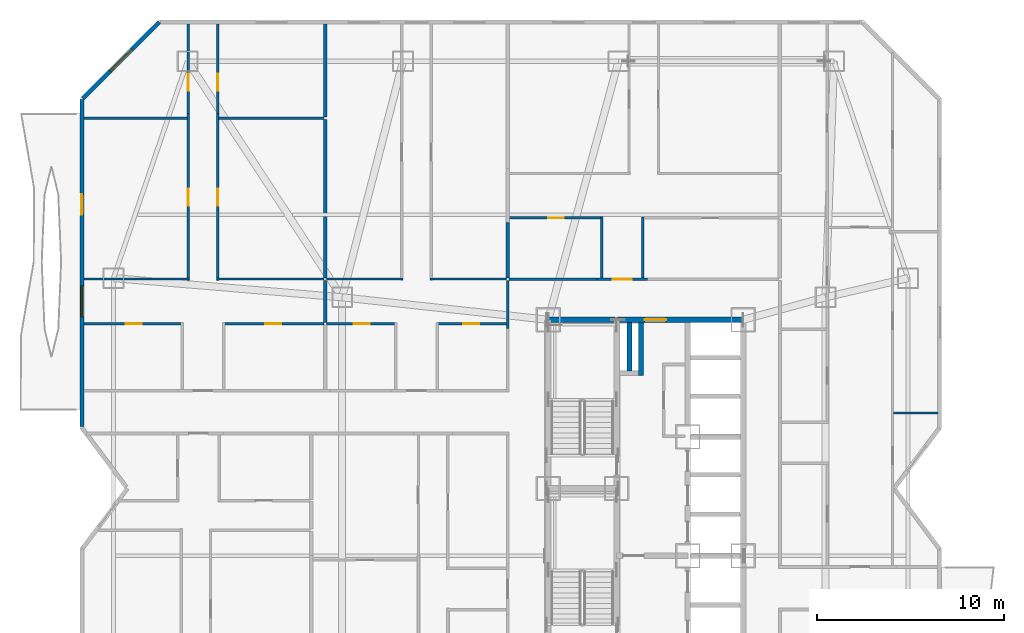
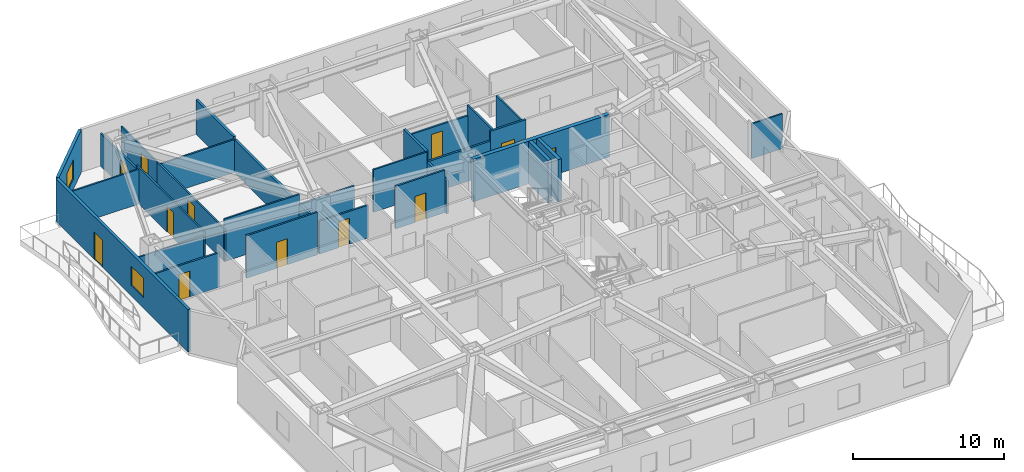
# One storey, part 12 of 16: 30 walls, 12 doors, 2 windows, 14 openings.
"""IFC4 building model written with IfcOpenShell, lengths in metres."""

from ifc_helpers import new_model, si_unit, direction, frame, frame_2d, origin, place, context, subcontext, project, spatial, rectangle, extrude, material, layer, layer_set, type_object, element, fill, save


model = new_model("IFC4")

# Units and contexts
model_context = context("Model", 3, precision=1e-05, world=origin(), true_north=direction((0.0, 1.0)))
body_context = subcontext(model_context, "Body", "Model", "MODEL_VIEW")
ifc_project = project(units=[si_unit("LENGTHUNIT", "METRE"), si_unit("AREAUNIT", "SQUARE_METRE"), si_unit("VOLUMEUNIT", "CUBIC_METRE"), si_unit("PLANEANGLEUNIT", "RADIAN"), si_unit("MASSUNIT", "GRAM", prefix="KILO")], contexts=[model_context])

# Site, building, storey
site_placement = place(None, origin())
site = spatial("IfcSite", under=ifc_project, at=site_placement, CompositionType="ELEMENT")
building_placement = place(site_placement, origin())
building = spatial("IfcBuilding", under=site, at=building_placement, Name="Khamvora Tower", CompositionType="ELEMENT")
storey_placement = place(building_placement, frame((0.0, 0.0, 55.199951171875)))
storey = spatial("IfcBuildingStorey", under=building, at=storey_placement, Name="L13", CompositionType="ELEMENT", Elevation=55.199951171875)

# Wall, opening, door
ifc_material_1 = material(Name="Concrete C50/60", Category="concrete")
ifc_layer_1 = layer(ifc_material_1, 0.300048828125)
ifc_layer_set_1 = layer_set([ifc_layer_1], Name="Concrete C50/60")
wall_type_1 = type_object("IfcWallType", Name="WAL-CORE-300", PredefinedType="SHEAR", material=ifc_layer_set_1)
wall_1_placement = place(storey_placement, frame((29.0, 37.0, 0.0), z_axis=(0.0, 0.0, 1.0), x_axis=(1.0, 0.0, 0.0)))
wall_1 = element("IfcWall", 1, at=wall_1_placement, inside=storey, type_object=wall_type_1, Name="L13 central core north wall", PredefinedType="SHEAR", context=body_context, shape_type="SweptSolid", body=[
    extrude(rectangle(XDim=10.39990234375, YDim=0.300048828125, at=frame_2d((5.199951171875, 0.0))), origin(), (0.0, 0.0, 1.0), 3.429931640625),
])
opening_1_placement = place(wall_1_placement, frame((5.139892578125, 0.0, 0.0)))
opening_1 = element("IfcOpeningElement", 2, at=opening_1_placement, cuts=wall_1, Name="Opening D-SC1", PredefinedType="OPENING", context=body_context, shape_type="SweptSolid", body=[
    extrude(rectangle(XDim=1.14990234375, YDim=2.199951171875, at=frame_2d((0.574951171875, 1.10009765625))), frame((0.0, 0.159912109375, 0.0), z_axis=(0.0, -1.0, 0.0), x_axis=(1.0, 0.0, 0.0)), (0.0, 0.0, 1.0), 0.320068359375),
])
ifc_material_2 = material(Name="Powder-Coated Steel and Hardwood Leaf", Category="steel")
door_type_1 = type_object("IfcDoorType", Name="DOR-SCHL-1150", OperationType="NOTDEFINED", PredefinedType="DOOR", material=ifc_material_2)
door_1_placement = place(opening_1_placement, origin())
door_1 = element("IfcDoor", 3, at=door_1_placement, inside=storey, type_object=door_type_1, Name="L13 north core lobby to corridor fire door", OperationType="SINGLE_SWING_RIGHT", OverallHeight=2.199951171875, OverallWidth=1.14990234375, PredefinedType="DOOR", context=body_context, shape_type="SweptSolid", body=[
    extrude(rectangle(XDim=1.14990234375, YDim=2.199951171875, at=frame_2d((0.574951171875, 1.10009765625))), frame((0.0, 0.02490234375, 0.0), z_axis=(0.0, -1.0, 0.0), x_axis=(1.0, 0.0, 0.0)), (0.0, 0.0, 1.0), 0.050048828125),
])
fill(opening_1, door_1)

# Wall
ifc_material_3 = material(Name="Fire-Rated Drywall and Steel Stud", Category="steel")
ifc_layer_2 = layer(ifc_material_3, 0.14990234375)
ifc_layer_set_2 = layer_set([ifc_layer_2], Name="Fire-Rated Drywall and Steel Stud")
wall_type_2 = type_object("IfcWallType", Name="WAL-CORR-150", PredefinedType="STANDARD", material=ifc_layer_set_2)
wall_2_placement = place(storey_placement, frame((26.8349609375, 36.5458984375, 0.0), z_axis=(0.0, 0.0, 1.0), x_axis=(0.0, 1.0, 0.0)))
element("IfcWall", 4, at=wall_2_placement, inside=storey, type_object=wall_type_2, Name="L13 interior partition wall 017", PredefinedType="STANDARD", context=body_context, shape_type="SweptSolid", body=[
    extrude(rectangle(XDim=2.55419921875, YDim=0.14990234375, at=frame_2d((1.277099609375, 0.0))), origin(), (0.0, 0.0, 1.0), 2.64697265625),
])

# Wall, opening, door
wall_3_placement = place(storey_placement, frame((31.60107421875, 39.1650390625, 0.0), z_axis=(0.0, 0.0, 1.0), x_axis=(1.0, 0.0, 0.0)))
wall_3 = element("IfcWall", 5, at=wall_3_placement, inside=storey, type_object=wall_type_2, Name="L13 interior partition wall 025", PredefinedType="STANDARD", context=body_context, shape_type="SweptSolid", body=[
    extrude(rectangle(XDim=2.697998046875, YDim=0.14990234375, at=frame_2d((1.34912109375, 0.0))), origin(), (0.0, 0.0, 1.0), 3.429931640625),
])
opening_2_placement = place(wall_3_placement, frame((0.84912109375, 0.0, 0.0)))
opening_2 = element("IfcOpeningElement", 6, at=opening_2_placement, cuts=wall_3, Name="Opening D-U1", PredefinedType="OPENING", context=body_context, shape_type="SweptSolid", body=[
    extrude(rectangle(XDim=1.0, YDim=2.14990234375, at=frame_2d((0.5, 1.074951171875))), frame((0.0, 0.0849609375, 0.0), z_axis=(0.0, -1.0, 0.0), x_axis=(1.0, 0.0, 0.0)), (0.0, 0.0, 1.0), 0.169921875),
])
door_type_2 = type_object("IfcDoorType", Name="DOR-UNIT-1000", OperationType="NOTDEFINED", PredefinedType="DOOR", material=ifc_material_2)
door_2_placement = place(opening_2_placement, origin())
door_2 = element("IfcDoor", 7, at=door_2_placement, inside=storey, type_object=door_type_2, Name="L13 interior door COR-13NAH", OperationType="SINGLE_SWING_LEFT", OverallHeight=2.14990234375, OverallWidth=1.0, PredefinedType="DOOR", context=body_context, shape_type="SweptSolid", body=[
    extrude(rectangle(XDim=1.0, YDim=2.14990234375, at=frame_2d((0.5, 1.074951171875))), frame((0.0, 0.02490234375, 0.0), z_axis=(0.0, -1.0, 0.0), x_axis=(1.0, 0.0, 0.0)), (0.0, 0.0, 1.0), 0.050048828125),
])
fill(opening_2, door_2)

# Walls
wall_4_placement = place(storey_placement, frame((26.89990234375, 39.1650390625, 0.0), z_axis=(0.0, 0.0, 1.0), x_axis=(1.0, 0.0, 0.0)))
element("IfcWall", 8, at=wall_4_placement, inside=storey, type_object=wall_type_2, Name="L13 interior partition wall 026", PredefinedType="STANDARD", context=body_context, shape_type="SweptSolid", body=[
    extrude(rectangle(XDim=4.701171875, YDim=0.14990234375, at=frame_2d((2.3505859375, 0.0))), origin(), (0.0, 0.0, 1.0), 2.64697265625),
])
ifc_material_4 = material(Name="Acoustic Double-Stud Fire Wall", Category="gypsum")
ifc_layer_3 = layer(ifc_material_4, 0.179931640625)
ifc_layer_set_3 = layer_set([ifc_layer_3], Name="Acoustic Double-Stud Fire Wall")
wall_type_3 = type_object("IfcWallType", Name="WAL-CORR-180", PredefinedType="STANDARD", material=ifc_layer_set_3)
wall_5_placement = place(storey_placement, frame((17.10498046875, 39.110107421875, 0.0), z_axis=(0.0, 0.0, 1.0), x_axis=(0.0, -1.0, 0.0)))
element("IfcWall", 9, at=wall_5_placement, inside=storey, type_object=wall_type_3, Name="L13 interior partition wall 085", PredefinedType="STANDARD", context=body_context, shape_type="SweptSolid", body=[
    extrude(rectangle(XDim=2.25, YDim=0.179931640625, at=frame_2d((1.125, 0.0))), origin(), (0.0, 0.0, 1.0), 2.64697265625),
])
wall_6_placement = place(storey_placement, frame((17.10498046875, 47.693115234375, 0.0), z_axis=(0.0, 0.0, 1.0), x_axis=(0.0, -1.0, 0.0)))
element("IfcWall", 10, at=wall_6_placement, inside=storey, type_object=wall_type_3, Name="L13 interior partition wall 089", PredefinedType="STANDARD", context=body_context, shape_type="SweptSolid", body=[
    extrude(rectangle(XDim=8.453125, YDim=0.179931640625, at=frame_2d((4.2265625, 0.0))), origin(), (0.0, 0.0, 1.0), 2.64697265625),
])
wall_7_placement = place(storey_placement, frame((17.10498046875, 52.7880859375, 0.0), z_axis=(0.0, 0.0, 1.0), x_axis=(0.0, -1.0, 0.0)))
element("IfcWall", 11, at=wall_7_placement, inside=storey, type_object=wall_type_3, Name="L13 interior partition wall 090", PredefinedType="STANDARD", context=body_context, shape_type="SweptSolid", body=[
    extrude(rectangle(XDim=4.965087890625, YDim=0.179931640625, at=frame_2d((2.482421875, 0.0))), origin(), (0.0, 0.0, 1.0), 2.802978515625),
])
wall_8_placement = place(storey_placement, frame((26.8349609375, 42.18505859375, 0.0), z_axis=(0.0, 0.0, 1.0), x_axis=(0.0, -1.0, 0.0)))
element("IfcWall", 12, at=wall_8_placement, inside=storey, type_object=wall_type_3, Name="L13 interior partition wall 100", PredefinedType="STANDARD", context=body_context, shape_type="SweptSolid", body=[
    extrude(rectangle(XDim=2.945068359375, YDim=0.179931640625, at=frame_2d((1.47265625, 0.0))), origin(), (0.0, 0.0, 1.0), 3.429931640625),
])

# Wall, openings, door, window
ifc_material_5 = material(Name="Precast concrete C40/50", Category="concrete")
ifc_layer_4 = layer(ifc_material_5, 0.219970703125)
ifc_layer_set_4 = layer_set([ifc_layer_4], Name="Precast concrete C40/50")
wall_type_4 = type_object("IfcWallType", Name="WAL-EXT-220", PredefinedType="STANDARD", material=ifc_layer_set_4)
wall_9_placement = place(storey_placement, frame((4.110107421875, 31.294921875, 0.0), z_axis=(0.0, 0.0, 1.0), x_axis=(0.0, 1.0, 0.0)))
wall_9 = element("IfcWall", 13, at=wall_9_placement, inside=storey, type_object=wall_type_4, Name="L13 exterior facade wall 05.1", PredefinedType="STANDARD", context=body_context, shape_type="SweptSolid", body=[
    extrude(rectangle(XDim=17.458984375, YDim=0.219970703125, at=frame_2d((8.7294921875, 0.0))), origin(), (0.0, 0.0, 1.0), 3.429931640625),
])
opening_3_placement = place(wall_9_placement, frame((11.302001953125, 0.0, 0.0)))
opening_3 = element("IfcOpeningElement", 14, at=opening_3_placement, cuts=wall_9, Name="Opening BD-01", PredefinedType="OPENING", context=body_context, shape_type="SweptSolid", body=[
    extrude(rectangle(XDim=1.10009765625, YDim=2.199951171875, at=frame_2d((0.550048828125, 1.10009765625))), frame((0.0, 0.119873046875, 0.0), z_axis=(0.0, -1.0, 0.0), x_axis=(1.0, 0.0, 0.0)), (0.0, 0.0, 1.0), 0.239990234375),
])
opening_4_placement = place(wall_9_placement, frame((5.864990234375, 0.0, 0.85009765625)))
opening_4 = element("IfcOpeningElement", 15, at=opening_4_placement, cuts=wall_9, Name="Opening WN-06", PredefinedType="OPENING", context=body_context, shape_type="SweptSolid", body=[
    extrude(rectangle(XDim=1.64990234375, YDim=1.550048828125, at=frame_2d((0.824951171875, 0.77490234375))), frame((0.0, 0.119873046875, 0.0), z_axis=(0.0, -1.0, 0.0), x_axis=(1.0, 0.0, 0.0)), (0.0, 0.0, 1.0), 0.239990234375),
])
ifc_material_6 = material(Name="Anodised Aluminium and Laminated Safety Glass", Category="aluminium")
door_type_3 = type_object("IfcDoorType", Name="DOR-BAL-1100", OperationType="NOTDEFINED", PredefinedType="DOOR", material=ifc_material_6)
door_3_placement = place(opening_3_placement, origin())
door_3 = element("IfcDoor", 16, at=door_3_placement, inside=storey, type_object=door_type_3, Name="L13 lens gallery balcony door WL2", OperationType="SLIDING_TO_LEFT", OverallHeight=2.199951171875, OverallWidth=1.10009765625, PredefinedType="DOOR", context=body_context, shape_type="SweptSolid", body=[
    extrude(rectangle(XDim=1.10009765625, YDim=2.199951171875, at=frame_2d((0.550048828125, 1.10009765625))), frame((0.0, 0.02490234375, 0.0), z_axis=(0.0, -1.0, 0.0), x_axis=(1.0, 0.0, 0.0)), (0.0, 0.0, 1.0), 0.050048828125),
])
fill(opening_3, door_3)
ifc_material_7 = material(Name="Low-E Laminated Double Glazing", Category="glass")
window_type = type_object("IfcWindowType", Name="WIN-VIS-1650x1550", PartitioningType="SINGLE_PANEL", PredefinedType="WINDOW", material=ifc_material_7)
window_1_placement = place(opening_4_placement, origin())
window_1 = element("IfcWindow", 17, at=window_1_placement, inside=storey, type_object=window_type, Name="L13 vision window 05.1.01", OverallHeight=1.550048828125, OverallWidth=1.64990234375, PartitioningType="SINGLE_PANEL", PredefinedType="WINDOW", context=body_context, shape_type="SweptSolid", body=[
    extrude(rectangle(XDim=1.64990234375, YDim=1.550048828125, at=frame_2d((0.824951171875, 0.77490234375))), frame((0.0, 0.030029296875, 0.0), z_axis=(0.0, -1.0, 0.0), x_axis=(1.0, 0.0, 0.0)), (0.0, 0.0, 1.0), 0.06005859375),
])
fill(opening_4, window_1)

# Wall, opening, window
wall_10_placement = place(storey_placement, frame((4.157958984375, 48.802001953125, 0.0), z_axis=(0.0, 0.0, 1.0), x_axis=(0.70712789547, 0.707085666273, 0.0)))
wall_10 = element("IfcWall", 18, at=wall_10_placement, inside=storey, type_object=wall_type_4, Name="L13 exterior facade wall 06.1", PredefinedType="STANDARD", context=body_context, shape_type="SweptSolid", body=[
    extrude(rectangle(XDim=5.78125, YDim=0.219970703125, at=frame_2d((2.890625, 0.0))), origin(), (0.0, 0.0, 1.0), 3.429931640625),
])
opening_5_placement = place(wall_10_placement, frame((2.06591796875, 0.0, 0.85009765625)))
opening_5 = element("IfcOpeningElement", 19, at=opening_5_placement, cuts=wall_10, Name="Opening WN-06", PredefinedType="OPENING", context=body_context, shape_type="SweptSolid", body=[
    extrude(rectangle(XDim=1.64990234375, YDim=1.550048828125, at=frame_2d((0.824951171875, 0.77490234375))), frame((0.0, 0.119873046875, 0.0), z_axis=(0.0, -1.0, 0.0), x_axis=(1.0, 0.0, 0.0)), (0.0, 0.0, 1.0), 0.239990234375),
])
window_2_placement = place(opening_5_placement, origin())
window_2 = element("IfcWindow", 20, at=window_2_placement, inside=storey, type_object=window_type, Name="L13 vision window 06.1.01", OverallHeight=1.550048828125, OverallWidth=1.64990234375, PartitioningType="SINGLE_PANEL", PredefinedType="WINDOW", context=body_context, shape_type="SweptSolid", body=[
    extrude(rectangle(XDim=1.64990234375, YDim=1.550048828125, at=frame_2d((0.824951171875, 0.77490234375))), frame((0.0, 0.030029296875, 0.0), z_axis=(0.0, -1.0, 0.0), x_axis=(1.0, 0.0, 0.0)), (0.0, 0.0, 1.0), 0.06005859375),
])
fill(opening_5, window_2)

# Wall
ifc_material_8 = material(Name="Gypsum Plasterboard Partition", Category="gypsum")
ifc_layer_5 = layer(ifc_material_8, 0.1201171875)
ifc_layer_set_5 = layer_set([ifc_layer_5], Name="Gypsum Plasterboard Partition")
wall_type_5 = type_object("IfcWallType", Name="WAL-PART-120", PredefinedType="PARTITIONING", material=ifc_layer_set_5)
wall_11_placement = place(storey_placement, frame((4.2119140625, 39.175048828125, 0.0), z_axis=(0.0, 0.0, 1.0), x_axis=(1.0, 0.0, 0.0)))
element("IfcWall", 21, at=wall_11_placement, inside=storey, type_object=wall_type_5, Name="L13 interior partition wall 079", PredefinedType="PARTITIONING", context=body_context, shape_type="SweptSolid", body=[
    extrude(rectangle(XDim=5.64306640625, YDim=0.1201171875, at=frame_2d((2.821533203125, 0.0))), origin(), (0.0, 0.0, 1.0), 2.64697265625),
])

# Wall, opening, door
wall_12_placement = place(storey_placement, frame((9.7900390625, 39.110107421875, 0.0), z_axis=(0.0, 0.0, 1.0), x_axis=(0.0, 1.0, 0.0)))
wall_12 = element("IfcWall", 22, at=wall_12_placement, inside=storey, type_object=wall_type_5, Name="L13 interior partition wall 080", PredefinedType="PARTITIONING", context=body_context, shape_type="SweptSolid", body=[
    extrude(rectangle(XDim=8.89794921875, YDim=0.1201171875, at=frame_2d((4.448974609375, 0.0))), origin(), (0.0, 0.0, 1.0), 2.95703125),
])
opening_6_placement = place(wall_12_placement, frame((3.97802734375, 0.0, 0.0)))
opening_6 = element("IfcOpeningElement", 23, at=opening_6_placement, cuts=wall_12, Name="Opening D-RM1", PredefinedType="OPENING", context=body_context, shape_type="SweptSolid", body=[
    extrude(rectangle(XDim=0.89990234375, YDim=2.10009765625, at=frame_2d((0.449951171875, 1.050048828125))), frame((0.0, 0.070068359375, 0.0), z_axis=(0.0, -1.0, 0.0), x_axis=(1.0, 0.0, 0.0)), (0.0, 0.0, 1.0), 0.14013671875),
])
door_type_4 = type_object("IfcDoorType", Name="DOR-ROOM-900", OperationType="NOTDEFINED", PredefinedType="DOOR", material=ifc_material_2)
door_4_placement = place(opening_6_placement, origin())
door_4 = element("IfcDoor", 24, at=door_4_placement, inside=storey, type_object=door_type_4, Name="L13 interior door 13WBH-13WBR1", OperationType="SINGLE_SWING_RIGHT", OverallHeight=2.10009765625, OverallWidth=0.89990234375, PredefinedType="DOOR", context=body_context, shape_type="SweptSolid", body=[
    extrude(rectangle(XDim=0.89990234375, YDim=2.10009765625, at=frame_2d((0.449951171875, 1.050048828125))), frame((0.0, 0.02490234375, 0.0), z_axis=(0.0, -1.0, 0.0), x_axis=(1.0, 0.0, 0.0)), (0.0, 0.0, 1.0), 0.050048828125),
])
fill(opening_6, door_4)

wall_13_placement = place(storey_placement, frame((9.7900390625, 48.008056640625, 0.0), z_axis=(0.0, 0.0, 1.0), x_axis=(0.0, 1.0, 0.0)))
wall_13 = element("IfcWall", 25, at=wall_13_placement, inside=storey, type_object=wall_type_5, Name="L13 interior partition wall 081", PredefinedType="PARTITIONING", context=body_context, shape_type="SweptSolid", body=[
    extrude(rectangle(XDim=4.780029296875, YDim=0.1201171875, at=frame_2d((2.39013671875, 0.0))), origin(), (0.0, 0.0, 1.0), 2.64697265625),
])
opening_7_placement = place(wall_13_placement, frame((1.218994140625, 0.0, 0.0)))
opening_7 = element("IfcOpeningElement", 26, at=opening_7_placement, cuts=wall_13, Name="Opening D-RM1", PredefinedType="OPENING", context=body_context, shape_type="SweptSolid", body=[
    extrude(rectangle(XDim=0.89990234375, YDim=2.10009765625, at=frame_2d((0.449951171875, 1.050048828125))), frame((0.0, 0.070068359375, 0.0), z_axis=(0.0, -1.0, 0.0), x_axis=(1.0, 0.0, 0.0)), (0.0, 0.0, 1.0), 0.14013671875),
])
door_5_placement = place(opening_7_placement, origin())
door_5 = element("IfcDoor", 27, at=door_5_placement, inside=storey, type_object=door_type_4, Name="L13 interior door 13WBH-13WBR2", OperationType="SINGLE_SWING_LEFT", OverallHeight=2.10009765625, OverallWidth=0.89990234375, PredefinedType="DOOR", context=body_context, shape_type="SweptSolid", body=[
    extrude(rectangle(XDim=0.89990234375, YDim=2.10009765625, at=frame_2d((0.449951171875, 1.050048828125))), frame((0.0, 0.02490234375, 0.0), z_axis=(0.0, -1.0, 0.0), x_axis=(1.0, 0.0, 0.0)), (0.0, 0.0, 1.0), 0.050048828125),
])
fill(opening_7, door_5)

wall_14_placement = place(storey_placement, frame((11.360107421875, 48.008056640625, 0.0), z_axis=(0.0, 0.0, 1.0), x_axis=(0.0, -1.0, 0.0)))
wall_14 = element("IfcWall", 28, at=wall_14_placement, inside=storey, type_object=wall_type_5, Name="L13 interior partition wall 082", PredefinedType="PARTITIONING", context=body_context, shape_type="SweptSolid", body=[
    extrude(rectangle(XDim=8.89794921875, YDim=0.1201171875, at=frame_2d((4.448974609375, 0.0))), origin(), (0.0, 0.0, 1.0), 2.64697265625),
])
opening_8_placement = place(wall_14_placement, frame((4.02001953125, 0.0, 0.0)))
opening_8 = element("IfcOpeningElement", 29, at=opening_8_placement, cuts=wall_14, Name="Opening D-RM1", PredefinedType="OPENING", context=body_context, shape_type="SweptSolid", body=[
    extrude(rectangle(XDim=0.89990234375, YDim=2.10009765625, at=frame_2d((0.449951171875, 1.050048828125))), frame((0.0, 0.070068359375, 0.0), z_axis=(0.0, -1.0, 0.0), x_axis=(1.0, 0.0, 0.0)), (0.0, 0.0, 1.0), 0.14013671875),
])
door_6_placement = place(opening_8_placement, origin())
door_6 = element("IfcDoor", 30, at=door_6_placement, inside=storey, type_object=door_type_4, Name="L13 interior door 13WBH-13WBR3", OperationType="SINGLE_SWING_LEFT", OverallHeight=2.10009765625, OverallWidth=0.89990234375, PredefinedType="DOOR", context=body_context, shape_type="SweptSolid", body=[
    extrude(rectangle(XDim=0.89990234375, YDim=2.10009765625, at=frame_2d((0.449951171875, 1.050048828125))), frame((0.0, 0.02490234375, 0.0), z_axis=(0.0, -1.0, 0.0), x_axis=(1.0, 0.0, 0.0)), (0.0, 0.0, 1.0), 0.050048828125),
])
fill(opening_8, door_6)

# Wall
wall_15_placement = place(storey_placement, frame((11.294921875, 39.175048828125, 0.0), z_axis=(0.0, 0.0, 1.0), x_axis=(1.0, 0.0, 0.0)))
element("IfcWall", 31, at=wall_15_placement, inside=storey, type_object=wall_type_5, Name="L13 interior partition wall 083", PredefinedType="PARTITIONING", context=body_context, shape_type="SweptSolid", body=[
    extrude(rectangle(XDim=5.7451171875, YDim=0.1201171875, at=frame_2d((2.87255859375, 0.0))), origin(), (0.0, 0.0, 1.0), 3.429931640625),
])

# Wall, opening, door
wall_16_placement = place(storey_placement, frame((11.360107421875, 52.7880859375, 0.0), z_axis=(0.0, 0.0, 1.0), x_axis=(0.0, -1.0, 0.0)))
wall_16 = element("IfcWall", 32, at=wall_16_placement, inside=storey, type_object=wall_type_5, Name="L13 interior partition wall 084", PredefinedType="PARTITIONING", context=body_context, shape_type="SweptSolid", body=[
    extrude(rectangle(XDim=4.780029296875, YDim=0.1201171875, at=frame_2d((2.39013671875, 0.0))), origin(), (0.0, 0.0, 1.0), 2.64697265625),
])
opening_9_placement = place(wall_16_placement, frame((2.660888671875, 0.0, 0.0)))
opening_9 = element("IfcOpeningElement", 33, at=opening_9_placement, cuts=wall_16, Name="Opening D-RM1", PredefinedType="OPENING", context=body_context, shape_type="SweptSolid", body=[
    extrude(rectangle(XDim=0.89990234375, YDim=2.10009765625, at=frame_2d((0.449951171875, 1.050048828125))), frame((0.0, 0.070068359375, 0.0), z_axis=(0.0, -1.0, 0.0), x_axis=(1.0, 0.0, 0.0)), (0.0, 0.0, 1.0), 0.14013671875),
])
door_7_placement = place(opening_9_placement, origin())
door_7 = element("IfcDoor", 34, at=door_7_placement, inside=storey, type_object=door_type_4, Name="L13 interior door 13WBH-13WBR4", OperationType="SINGLE_SWING_RIGHT", OverallHeight=2.10009765625, OverallWidth=0.89990234375, PredefinedType="DOOR", context=body_context, shape_type="SweptSolid", body=[
    extrude(rectangle(XDim=0.89990234375, YDim=2.10009765625, at=frame_2d((0.449951171875, 1.050048828125))), frame((0.0, 0.02490234375, 0.0), z_axis=(0.0, -1.0, 0.0), x_axis=(1.0, 0.0, 0.0)), (0.0, 0.0, 1.0), 0.050048828125),
])
fill(opening_9, door_7)

# Walls
wall_17_placement = place(storey_placement, frame((4.2119140625, 47.758056640625, 0.0), z_axis=(0.0, 0.0, 1.0), x_axis=(1.0, 0.0, 0.0)))
element("IfcWall", 35, at=wall_17_placement, inside=storey, type_object=wall_type_5, Name="L13 interior partition wall 087", PredefinedType="PARTITIONING", context=body_context, shape_type="SweptSolid", body=[
    extrude(rectangle(XDim=5.524169921875, YDim=0.1201171875, at=frame_2d((2.76220703125, 0.0))), origin(), (0.0, 0.0, 1.0), 2.802978515625),
])
wall_18_placement = place(storey_placement, frame((11.4140625, 47.758056640625, 0.0), z_axis=(0.0, 0.0, 1.0), x_axis=(1.0, 0.0, 0.0)))
element("IfcWall", 36, at=wall_18_placement, inside=storey, type_object=wall_type_5, Name="L13 interior partition wall 088", PredefinedType="PARTITIONING", context=body_context, shape_type="SweptSolid", body=[
    extrude(rectangle(XDim=5.6259765625, YDim=0.1201171875, at=frame_2d((2.81298828125, 0.0))), origin(), (0.0, 0.0, 1.0), 2.64697265625),
])
wall_19_placement = place(storey_placement, frame((17.169921875, 39.175048828125, 0.0), z_axis=(0.0, 0.0, 1.0), x_axis=(1.0, 0.0, 0.0)))
element("IfcWall", 37, at=wall_19_placement, inside=storey, type_object=wall_type_5, Name="L13 interior partition wall 095", PredefinedType="PARTITIONING", context=body_context, shape_type="SweptSolid", body=[
    extrude(rectangle(XDim=4.080078125, YDim=0.1201171875, at=frame_2d((2.0400390625, 0.0))), origin(), (0.0, 0.0, 1.0), 2.64697265625),
])
wall_20_placement = place(storey_placement, frame((22.68994140625, 39.175048828125, 0.0), z_axis=(0.0, 0.0, 1.0), x_axis=(1.0, 0.0, 0.0)))
element("IfcWall", 38, at=wall_20_placement, inside=storey, type_object=wall_type_5, Name="L13 interior partition wall 098", PredefinedType="PARTITIONING", context=body_context, shape_type="SweptSolid", body=[
    extrude(rectangle(XDim=4.080078125, YDim=0.1201171875, at=frame_2d((2.0400390625, 0.0))), origin(), (0.0, 0.0, 1.0), 3.429931640625),
])
wall_21_placement = place(storey_placement, frame((47.428955078125, 32.027099609375, 0.0), z_axis=(0.0, 0.0, 1.0), x_axis=(1.0, 0.0, 0.0)))
element("IfcWall", 39, at=wall_21_placement, inside=storey, type_object=wall_type_5, Name="L13 interior partition wall 145", PredefinedType="PARTITIONING", context=body_context, shape_type="SweptSolid", body=[
    extrude(rectangle(XDim=2.359130859375, YDim=0.1201171875, at=frame_2d((1.1796875, 0.0))), origin(), (0.0, 0.0, 1.0), 2.802978515625),
])
ifc_material_9 = material(Name="Concrete C40/50", Category="concrete")
ifc_layer_6 = layer(ifc_material_9, 0.25)
ifc_layer_set_6 = layer_set([ifc_layer_6], Name="Concrete C40/50")
wall_type_6 = type_object("IfcWallType", Name="WAL-PODS-250", PredefinedType="SHEAR", material=ifc_layer_set_6)
wall_22_placement = place(storey_placement, frame((33.955078125, 34.02490234375, 0.0), z_axis=(0.0, 0.0, 1.0), x_axis=(0.0, 1.0, 0.0)))
element("IfcWall", 40, at=wall_22_placement, inside=storey, type_object=wall_type_6, Name="L13 vertical MEP riser shaft east enclosure wall", PredefinedType="SHEAR", context=body_context, shape_type="SweptSolid", body=[
    extrude(rectangle(XDim=2.821044921875, YDim=0.25, at=frame_2d((1.41064453125, 0.0))), origin(), (0.0, 0.0, 1.0), 3.429931640625),
])
wall_23_placement = place(storey_placement, frame((33.340087890625, 34.279052734375, 0.0), z_axis=(0.0, 0.0, 1.0), x_axis=(0.0, 1.0, 0.0)))
element("IfcWall", 41, at=wall_23_placement, inside=storey, type_object=wall_type_6, Name="L13 vertical MEP riser shaft divider enclosure wall", PredefinedType="SHEAR", context=body_context, shape_type="SweptSolid", body=[
    extrude(rectangle(XDim=2.56689453125, YDim=0.25, at=frame_2d((1.283447265625, 0.0))), origin(), (0.0, 0.0, 1.0), 3.429931640625),
])

# Wall, opening, door
ifc_material_10 = material(Name="Moisture-Resistant Plasterboard Partition", Category="gypsum")
ifc_layer_7 = layer(ifc_material_10, 0.135009765625)
ifc_layer_set_7 = layer_set([ifc_layer_7], Name="Moisture-Resistant Plasterboard Partition")
wall_type_7 = type_object("IfcWallType", Name="WAL-WET-135", PredefinedType="PARTITIONING", material=ifc_layer_set_7)
wall_24_placement = place(storey_placement, frame((9.5400390625, 36.794921875, 0.0), z_axis=(0.0, 0.0, 1.0), x_axis=(-1.0, 0.0, 0.0)))
wall_24 = element("IfcWall", 42, at=wall_24_placement, inside=storey, type_object=wall_type_7, Name="L13 interior partition wall 076", PredefinedType="PARTITIONING", context=body_context, shape_type="SweptSolid", body=[
    extrude(rectangle(XDim=5.328125, YDim=0.135009765625, at=frame_2d((2.6640625, 0.0))), origin(), (0.0, 0.0, 1.0), 2.802978515625),
])
opening_10_placement = place(wall_24_placement, frame((2.239013671875, 0.0, 0.0)))
opening_10 = element("IfcOpeningElement", 43, at=opening_10_placement, cuts=wall_24, Name="Opening D-WC1", PredefinedType="OPENING", context=body_context, shape_type="SweptSolid", body=[
    extrude(rectangle(XDim=0.85009765625, YDim=2.10009765625, at=frame_2d((0.425048828125, 1.050048828125))), frame((0.0, 0.077392578125, 0.0), z_axis=(0.0, -1.0, 0.0), x_axis=(1.0, 0.0, 0.0)), (0.0, 0.0, 1.0), 0.155029296875),
])
door_type_5 = type_object("IfcDoorType", Name="DOR-WET-850", OperationType="NOTDEFINED", PredefinedType="DOOR", material=ifc_material_2)
door_8_placement = place(opening_10_placement, origin())
door_8 = element("IfcDoor", 44, at=door_8_placement, inside=storey, type_object=door_type_5, Name="L13 interior door 13WBH-13WBB", OperationType="SINGLE_SWING_RIGHT", OverallHeight=2.10009765625, OverallWidth=0.85009765625, PredefinedType="DOOR", context=body_context, shape_type="SweptSolid", body=[
    extrude(rectangle(XDim=0.85009765625, YDim=2.10009765625, at=frame_2d((0.425048828125, 1.050048828125))), frame((0.0, 0.02490234375, 0.0), z_axis=(0.0, -1.0, 0.0), x_axis=(1.0, 0.0, 0.0)), (0.0, 0.0, 1.0), 0.050048828125),
])
fill(opening_10, door_8)

wall_25_placement = place(storey_placement, frame((17.0400390625, 36.794921875, 0.0), z_axis=(0.0, 0.0, 1.0), x_axis=(-1.0, 0.0, 0.0)))
wall_25 = element("IfcWall", 45, at=wall_25_placement, inside=storey, type_object=wall_type_7, Name="L13 interior partition wall 077", PredefinedType="PARTITIONING", context=body_context, shape_type="SweptSolid", body=[
    extrude(rectangle(XDim=5.429931640625, YDim=0.135009765625, at=frame_2d((2.71484375, 0.0))), origin(), (0.0, 0.0, 1.0), 3.429931640625),
])
opening_11_placement = place(wall_25_placement, frame((2.2900390625, 0.0, 0.0)))
opening_11 = element("IfcOpeningElement", 46, at=opening_11_placement, cuts=wall_25, Name="Opening D-RM2", PredefinedType="OPENING", context=body_context, shape_type="SweptSolid", body=[
    extrude(rectangle(XDim=0.85009765625, YDim=2.10009765625, at=frame_2d((0.425048828125, 1.050048828125))), frame((0.0, 0.077392578125, 0.0), z_axis=(0.0, -1.0, 0.0), x_axis=(1.0, 0.0, 0.0)), (0.0, 0.0, 1.0), 0.155029296875),
])
door_type_6 = type_object("IfcDoorType", Name="DOR-ROOM-850", OperationType="NOTDEFINED", PredefinedType="DOOR", material=ifc_material_2)
door_9_placement = place(opening_11_placement, origin())
door_9 = element("IfcDoor", 47, at=door_9_placement, inside=storey, type_object=door_type_6, Name="L13 interior door 13WBH-13WBK", OperationType="SINGLE_SWING_LEFT", OverallHeight=2.10009765625, OverallWidth=0.85009765625, PredefinedType="DOOR", context=body_context, shape_type="SweptSolid", body=[
    extrude(rectangle(XDim=0.85009765625, YDim=2.10009765625, at=frame_2d((0.425048828125, 1.050048828125))), frame((0.0, 0.02490234375, 0.0), z_axis=(0.0, -1.0, 0.0), x_axis=(1.0, 0.0, 0.0)), (0.0, 0.0, 1.0), 0.050048828125),
])
fill(opening_11, door_9)

wall_26_placement = place(storey_placement, frame((20.93505859375, 36.794921875, 0.0), z_axis=(0.0, 0.0, 1.0), x_axis=(-1.0, 0.0, 0.0)))
wall_26 = element("IfcWall", 48, at=wall_26_placement, inside=storey, type_object=wall_type_7, Name="L13 interior partition wall 092", PredefinedType="PARTITIONING", context=body_context, shape_type="SweptSolid", body=[
    extrude(rectangle(XDim=3.76513671875, YDim=0.135009765625, at=frame_2d((1.882568359375, 0.0))), origin(), (0.0, 0.0, 1.0), 2.64697265625),
])
opening_12_placement = place(wall_26_placement, frame((1.4580078125, 0.0, 0.0)))
opening_12 = element("IfcOpeningElement", 49, at=opening_12_placement, cuts=wall_26, Name="Opening D-WC1", PredefinedType="OPENING", context=body_context, shape_type="SweptSolid", body=[
    extrude(rectangle(XDim=0.85009765625, YDim=2.10009765625, at=frame_2d((0.425048828125, 1.050048828125))), frame((0.0, 0.077392578125, 0.0), z_axis=(0.0, -1.0, 0.0), x_axis=(1.0, 0.0, 0.0)), (0.0, 0.0, 1.0), 0.155029296875),
])
door_10_placement = place(opening_12_placement, origin())
door_10 = element("IfcDoor", 50, at=door_10_placement, inside=storey, type_object=door_type_5, Name="L13 interior door 13WCH-13WCB", OperationType="SINGLE_SWING_LEFT", OverallHeight=2.10009765625, OverallWidth=0.85009765625, PredefinedType="DOOR", context=body_context, shape_type="SweptSolid", body=[
    extrude(rectangle(XDim=0.85009765625, YDim=2.10009765625, at=frame_2d((0.425048828125, 1.050048828125))), frame((0.0, 0.02490234375, 0.0), z_axis=(0.0, -1.0, 0.0), x_axis=(1.0, 0.0, 0.0)), (0.0, 0.0, 1.0), 0.050048828125),
])
fill(opening_12, door_10)

wall_27_placement = place(storey_placement, frame((26.77001953125, 36.794921875, 0.0), z_axis=(0.0, 0.0, 1.0), x_axis=(-1.0, 0.0, 0.0)))
wall_27 = element("IfcWall", 51, at=wall_27_placement, inside=storey, type_object=wall_type_7, Name="L13 interior partition wall 093", PredefinedType="PARTITIONING", context=body_context, shape_type="SweptSolid", body=[
    extrude(rectangle(XDim=3.76513671875, YDim=0.135009765625, at=frame_2d((1.882568359375, 0.0))), origin(), (0.0, 0.0, 1.0), 3.429931640625),
])
opening_13_placement = place(wall_27_placement, frame((1.4580078125, 0.0, 0.0)))
opening_13 = element("IfcOpeningElement", 52, at=opening_13_placement, cuts=wall_27, Name="Opening D-RM2", PredefinedType="OPENING", context=body_context, shape_type="SweptSolid", body=[
    extrude(rectangle(XDim=0.85009765625, YDim=2.10009765625, at=frame_2d((0.425048828125, 1.050048828125))), frame((0.0, 0.077392578125, 0.0), z_axis=(0.0, -1.0, 0.0), x_axis=(1.0, 0.0, 0.0)), (0.0, 0.0, 1.0), 0.155029296875),
])
door_11_placement = place(opening_13_placement, origin())
door_11 = element("IfcDoor", 53, at=door_11_placement, inside=storey, type_object=door_type_6, Name="L13 interior door 13WCH-13WCK", OperationType="SINGLE_SWING_RIGHT", OverallHeight=2.10009765625, OverallWidth=0.85009765625, PredefinedType="DOOR", context=body_context, shape_type="SweptSolid", body=[
    extrude(rectangle(XDim=0.85009765625, YDim=2.10009765625, at=frame_2d((0.425048828125, 1.050048828125))), frame((0.0, 0.02490234375, 0.0), z_axis=(0.0, -1.0, 0.0), x_axis=(1.0, 0.0, 0.0)), (0.0, 0.0, 1.0), 0.050048828125),
])
fill(opening_13, door_11)

# Wall
wall_28_placement = place(storey_placement, frame((31.85009765625, 39.23193359375, 0.0), z_axis=(0.0, 0.0, 1.0), x_axis=(0.0, 1.0, 0.0)))
element("IfcWall", 54, at=wall_28_placement, inside=storey, type_object=wall_type_7, Name="L13 interior partition wall 114", PredefinedType="PARTITIONING", context=body_context, shape_type="SweptSolid", body=[
    extrude(rectangle(XDim=3.26708984375, YDim=0.135009765625, at=frame_2d((1.633544921875, 0.0))), origin(), (0.0, 0.0, 1.0), 3.429931640625),
])

# Wall, opening, door
wall_29_placement = place(storey_placement, frame((31.9150390625, 42.43408203125, 0.0), z_axis=(0.0, 0.0, 1.0), x_axis=(-1.0, 0.0, 0.0)))
wall_29 = element("IfcWall", 55, at=wall_29_placement, inside=storey, type_object=wall_type_7, Name="L13 interior partition wall 115", PredefinedType="PARTITIONING", context=body_context, shape_type="SweptSolid", body=[
    extrude(rectangle(XDim=4.998046875, YDim=0.135009765625, at=frame_2d((2.4990234375, 0.0))), origin(), (0.0, 0.0, 1.0), 2.64697265625),
])
opening_14_placement = place(wall_29_placement, frame((2.073974609375, 0.0, 0.0)))
opening_14 = element("IfcOpeningElement", 56, at=opening_14_placement, cuts=wall_29, Name="Opening D-WC1", PredefinedType="OPENING", context=body_context, shape_type="SweptSolid", body=[
    extrude(rectangle(XDim=0.85009765625, YDim=2.10009765625, at=frame_2d((0.425048828125, 1.050048828125))), frame((0.0, 0.077392578125, 0.0), z_axis=(0.0, -1.0, 0.0), x_axis=(1.0, 0.0, 0.0)), (0.0, 0.0, 1.0), 0.155029296875),
])
door_12_placement = place(opening_14_placement, origin())
door_12 = element("IfcDoor", 57, at=door_12_placement, inside=storey, type_object=door_type_5, Name="L13 interior door 13NAH-13NAB", OperationType="SINGLE_SWING_LEFT", OverallHeight=2.10009765625, OverallWidth=0.85009765625, PredefinedType="DOOR", context=body_context, shape_type="SweptSolid", body=[
    extrude(rectangle(XDim=0.85009765625, YDim=2.10009765625, at=frame_2d((0.425048828125, 1.050048828125))), frame((0.0, 0.02490234375, 0.0), z_axis=(0.0, -1.0, 0.0), x_axis=(1.0, 0.0, 0.0)), (0.0, 0.0, 1.0), 0.050048828125),
])
fill(opening_14, door_12)

# Wall
wall_30_placement = place(storey_placement, frame((34.050048828125, 42.4990234375, 0.0), z_axis=(0.0, 0.0, 1.0), x_axis=(0.0, -1.0, 0.0)))
element("IfcWall", 58, at=wall_30_placement, inside=storey, type_object=wall_type_7, Name="L13 interior partition wall 117", PredefinedType="PARTITIONING", context=body_context, shape_type="SweptSolid", body=[
    extrude(rectangle(XDim=3.26708984375, YDim=0.135009765625, at=frame_2d((1.633544921875, 0.0))), origin(), (0.0, 0.0, 1.0), 3.429931640625),
])

save(model, "model.ifc")
